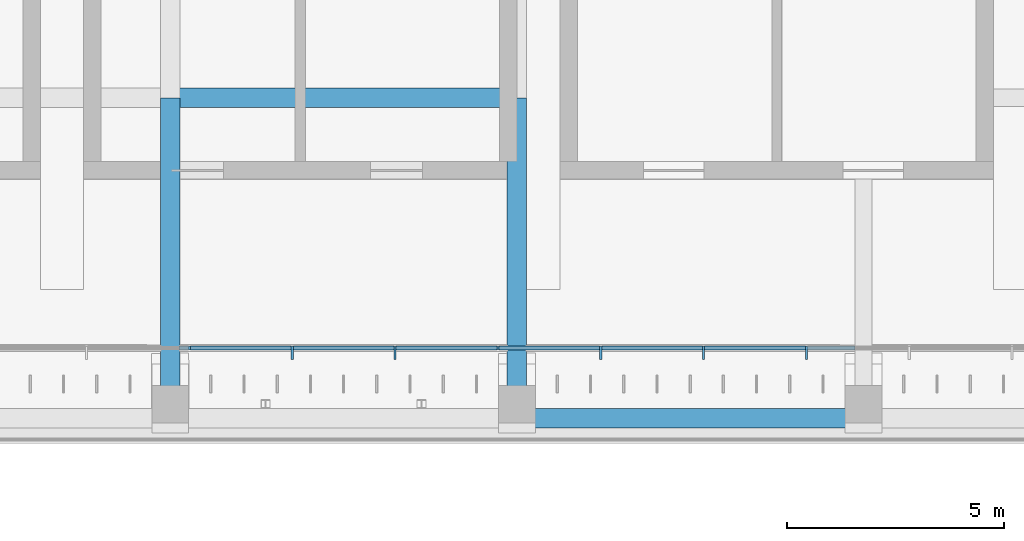
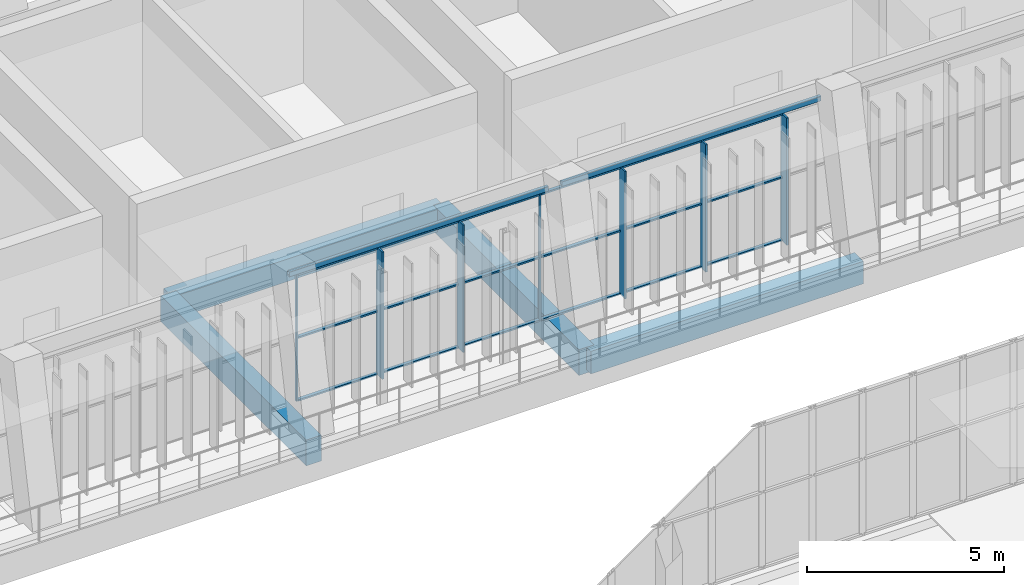
# One storey, part 36 of 92: 25 members, 6 beams, 1 element without a shape of its own.
"""IFC4 building model written with IfcOpenShell, lengths in metres."""

from ifc_helpers import new_model, si_unit, direction, frame, origin, origin_2d, place, context, subcontext, project, spatial, rectangle, hollow_rectangle, extrude, material, material_profile, profile_set, type_object, element, aggregate, save


model = new_model("IFC4")

# Units and contexts
model_context = context("Model", 3, precision=1e-05, world=origin(), true_north=direction((0.0, 1.0)))
body_context = subcontext(model_context, "Body", "Model", "MODEL_VIEW")
ifc_project = project(units=[si_unit("LENGTHUNIT", "METRE"), si_unit("AREAUNIT", "SQUARE_METRE"), si_unit("VOLUMEUNIT", "CUBIC_METRE"), si_unit("PLANEANGLEUNIT", "RADIAN"), si_unit("MASSUNIT", "GRAM", prefix="KILO")], contexts=[model_context])

# Site, building, storey
site_placement = place(None, origin())
site = spatial("IfcSite", under=ifc_project, at=site_placement, CompositionType="ELEMENT")
building_placement = place(site_placement, origin())
building = spatial("IfcBuilding", under=site, at=building_placement, Name="Lantern Court Media Centre", CompositionType="ELEMENT")
storey_placement = place(building_placement, frame((0.0, 0.0, 4.800048828125)))
storey = spatial("IfcBuildingStorey", under=building, at=storey_placement, Name="L01", CompositionType="ELEMENT", Elevation=4.800048828125)

# Curtain wall, members
ifc_material_1 = material(Name="Curtain wall bay 2400")
curtain_wall_type = type_object("IfcCurtainWallType", Name="Curtain wall bay 2400", PredefinedType="NOTDEFINED", material=ifc_material_1)
curtain_wall_placement = place(storey_placement, origin())
curtain_wall = element("IfcCurtainWall", 1, at=curtain_wall_placement, inside=storey, type_object=curtain_wall_type, Name="Curtain wall N inner L01", PredefinedType="NOTDEFINED")
ifc_material_2 = material(Name="Anodised aluminium", Category="aluminium")
ifc_material_profile_1 = material_profile(ifc_material_2, rectangle(XDim=0.300048828125, YDim=0.050048828125, at=origin_2d()), Name="AL 50x300")
ifc_profile_set_1 = profile_set([ifc_material_profile_1], Name="Anodised aluminium")
member_type_1 = type_object("IfcMemberType", Name="Curtain wall mullion 50x300", PredefinedType="MULLION", material=ifc_profile_set_1)
member_1_placement = place(storey_placement, frame((50.81298828125, 99.030029296875, 0.0), z_axis=(0.0, 0.0, 1.0), x_axis=(0.0, 1.0, 0.0)))
member_1 = element("IfcMember", 2, at=member_1_placement, type_object=member_type_1, Name="CW2 mullion 12", PredefinedType="MULLION", context=body_context, shape_type="SweptSolid", body=[
    extrude(rectangle(XDim=0.300048828125, YDim=0.050048828125, at=origin_2d()), origin(), (0.0, 0.0, 1.0), 3.949951171875),
])
member_2_placement = place(storey_placement, frame((53.18701171875, 99.030029296875, 0.0), z_axis=(0.0, 0.0, 1.0), x_axis=(0.0, 1.0, 0.0)))
member_2 = element("IfcMember", 3, at=member_2_placement, type_object=member_type_1, Name="CW2 mullion 13", PredefinedType="MULLION", context=body_context, shape_type="SweptSolid", body=[
    extrude(rectangle(XDim=0.300048828125, YDim=0.050048828125, at=origin_2d()), origin(), (0.0, 0.0, 1.0), 3.949951171875),
])
member_3_placement = place(storey_placement, frame((57.934814453125, 99.030029296875, 0.0), z_axis=(0.0, 0.0, 1.0), x_axis=(0.0, 1.0, 0.0)))
member_3 = element("IfcMember", 4, at=member_3_placement, type_object=member_type_1, Name="CW2 mullion 15", PredefinedType="MULLION", context=body_context, shape_type="SweptSolid", body=[
    extrude(rectangle(XDim=0.300048828125, YDim=0.050048828125, at=origin_2d()), origin(), (0.0, 0.0, 1.0), 3.949951171875),
])
member_4_placement = place(storey_placement, frame((60.30859375, 99.030029296875, 0.0), z_axis=(0.0, 0.0, 1.0), x_axis=(0.0, 1.0, 0.0)))
member_4 = element("IfcMember", 5, at=member_4_placement, type_object=member_type_1, Name="CW2 mullion 16", PredefinedType="MULLION", context=body_context, shape_type="SweptSolid", body=[
    extrude(rectangle(XDim=0.300048828125, YDim=0.050048828125, at=origin_2d()), origin(), (0.0, 0.0, 1.0), 3.949951171875),
])
member_5_placement = place(storey_placement, frame((62.6826171875, 99.030029296875, 0.0), z_axis=(0.0, 0.0, 1.0), x_axis=(0.0, 1.0, 0.0)))
member_5 = element("IfcMember", 6, at=member_5_placement, type_object=member_type_1, Name="CW2 mullion 17", PredefinedType="MULLION", context=body_context, shape_type="SweptSolid", body=[
    extrude(rectangle(XDim=0.300048828125, YDim=0.050048828125, at=origin_2d()), origin(), (0.0, 0.0, 1.0), 3.949951171875),
])
ifc_material_profile_2 = material_profile(ifc_material_2, rectangle(XDim=0.06005859375, YDim=0.050048828125, at=origin_2d()), Name="AL 50x60")
ifc_profile_set_2 = profile_set([ifc_material_profile_2], Name="Anodised aluminium")
member_type_2 = type_object("IfcMemberType", Name="Curtain wall mullion 50x60", PredefinedType="MULLION", material=ifc_profile_set_2)
member_6_placement = place(storey_placement, frame((48.439208984375, 99.14990234375, 0.0), z_axis=(0.0, 0.0, 1.0), x_axis=(0.0, 1.0, 0.0)))
member_6 = element("IfcMember", 7, at=member_6_placement, type_object=member_type_2, Name="CW2 mullion 11", PredefinedType="MULLION", context=body_context, shape_type="SweptSolid", body=[
    extrude(rectangle(XDim=0.06005859375, YDim=0.050048828125, at=origin_2d()), origin(), (0.0, 0.0, 1.0), 3.949951171875),
])
member_7_placement = place(storey_placement, frame((55.560791015625, 99.14990234375, 0.0), z_axis=(0.0, 0.0, 1.0), x_axis=(0.0, 1.0, 0.0)))
member_7 = element("IfcMember", 8, at=member_7_placement, type_object=member_type_2, Name="CW2 mullion 14", PredefinedType="MULLION", context=body_context, shape_type="SweptSolid", body=[
    extrude(rectangle(XDim=0.06005859375, YDim=0.050048828125, at=origin_2d()), origin(), (0.0, 0.0, 1.0), 3.949951171875),
])
ifc_material_profile_3 = material_profile(ifc_material_2, rectangle(XDim=0.10009765625, YDim=0.050048828125, at=origin_2d()), Name="AL 50x100")
ifc_profile_set_3 = profile_set([ifc_material_profile_3], Name="Anodised aluminium")
member_type_3 = type_object("IfcMemberType", Name="Curtain wall transom 100x50", PredefinedType="USERDEFINED", material=ifc_profile_set_3)
member_8_placement = place(storey_placement, frame((48.464111328125, 99.14990234375, 0.02490234375), z_axis=(1.0, 0.0, 0.0), x_axis=(0.0, 1.0, 0.0)))
member_8 = element("IfcMember", 9, at=member_8_placement, type_object=member_type_3, Name="CW2 transom 11.1", ObjectType="TRANSOM", PredefinedType="USERDEFINED", context=body_context, shape_type="SweptSolid", body=[
    extrude(rectangle(XDim=0.10009765625, YDim=0.050048828125, at=origin_2d()), origin(), (0.0, 0.0, 1.0), 2.323974609375),
])
member_9_placement = place(storey_placement, frame((48.464111328125, 99.14990234375, 1.974853515625), z_axis=(1.0, 0.0, 0.0), x_axis=(0.0, 1.0, 0.0)))
member_9 = element("IfcMember", 10, at=member_9_placement, type_object=member_type_3, Name="CW2 transom 11.2", ObjectType="TRANSOM", PredefinedType="USERDEFINED", context=body_context, shape_type="SweptSolid", body=[
    extrude(rectangle(XDim=0.10009765625, YDim=0.050048828125, at=origin_2d()), origin(), (0.0, 0.0, 1.0), 2.323974609375),
])
member_10_placement = place(storey_placement, frame((48.464111328125, 99.14990234375, 3.925048828125), z_axis=(1.0, 0.0, 0.0), x_axis=(0.0, 1.0, 0.0)))
member_10 = element("IfcMember", 11, at=member_10_placement, type_object=member_type_3, Name="CW2 transom 11.3", ObjectType="TRANSOM", PredefinedType="USERDEFINED", context=body_context, shape_type="SweptSolid", body=[
    extrude(rectangle(XDim=0.10009765625, YDim=0.050048828125, at=origin_2d()), origin(), (0.0, 0.0, 1.0), 2.323974609375),
])
member_11_placement = place(storey_placement, frame((50.838134765625, 99.14990234375, 0.02490234375), z_axis=(1.0, 0.0, 0.0), x_axis=(0.0, 1.0, 0.0)))
member_11 = element("IfcMember", 12, at=member_11_placement, type_object=member_type_3, Name="CW2 transom 12.1", ObjectType="TRANSOM", PredefinedType="USERDEFINED", context=body_context, shape_type="SweptSolid", body=[
    extrude(rectangle(XDim=0.10009765625, YDim=0.050048828125, at=origin_2d()), origin(), (0.0, 0.0, 1.0), 2.32373046875),
])
member_12_placement = place(storey_placement, frame((50.838134765625, 99.14990234375, 1.974853515625), z_axis=(1.0, 0.0, 0.0), x_axis=(0.0, 1.0, 0.0)))
member_12 = element("IfcMember", 13, at=member_12_placement, type_object=member_type_3, Name="CW2 transom 12.2", ObjectType="TRANSOM", PredefinedType="USERDEFINED", context=body_context, shape_type="SweptSolid", body=[
    extrude(rectangle(XDim=0.10009765625, YDim=0.050048828125, at=origin_2d()), origin(), (0.0, 0.0, 1.0), 2.32373046875),
])
member_13_placement = place(storey_placement, frame((50.838134765625, 99.14990234375, 3.925048828125), z_axis=(1.0, 0.0, 0.0), x_axis=(0.0, 1.0, 0.0)))
member_13 = element("IfcMember", 14, at=member_13_placement, type_object=member_type_3, Name="CW2 transom 12.3", ObjectType="TRANSOM", PredefinedType="USERDEFINED", context=body_context, shape_type="SweptSolid", body=[
    extrude(rectangle(XDim=0.10009765625, YDim=0.050048828125, at=origin_2d()), origin(), (0.0, 0.0, 1.0), 2.32373046875),
])
member_14_placement = place(storey_placement, frame((53.2119140625, 99.14990234375, 0.02490234375), z_axis=(1.0, 0.0, 0.0), x_axis=(0.0, 1.0, 0.0)))
member_14 = element("IfcMember", 15, at=member_14_placement, type_object=member_type_3, Name="CW2 transom 13.1", ObjectType="TRANSOM", PredefinedType="USERDEFINED", context=body_context, shape_type="SweptSolid", body=[
    extrude(rectangle(XDim=0.10009765625, YDim=0.050048828125, at=origin_2d()), origin(), (0.0, 0.0, 1.0), 2.323974609375),
])
member_15_placement = place(storey_placement, frame((53.2119140625, 99.14990234375, 1.974853515625), z_axis=(1.0, 0.0, 0.0), x_axis=(0.0, 1.0, 0.0)))
member_15 = element("IfcMember", 16, at=member_15_placement, type_object=member_type_3, Name="CW2 transom 13.2", ObjectType="TRANSOM", PredefinedType="USERDEFINED", context=body_context, shape_type="SweptSolid", body=[
    extrude(rectangle(XDim=0.10009765625, YDim=0.050048828125, at=origin_2d()), origin(), (0.0, 0.0, 1.0), 2.323974609375),
])
member_16_placement = place(storey_placement, frame((53.2119140625, 99.14990234375, 3.925048828125), z_axis=(1.0, 0.0, 0.0), x_axis=(0.0, 1.0, 0.0)))
member_16 = element("IfcMember", 17, at=member_16_placement, type_object=member_type_3, Name="CW2 transom 13.3", ObjectType="TRANSOM", PredefinedType="USERDEFINED", context=body_context, shape_type="SweptSolid", body=[
    extrude(rectangle(XDim=0.10009765625, YDim=0.050048828125, at=origin_2d()), origin(), (0.0, 0.0, 1.0), 2.323974609375),
])
member_17_placement = place(storey_placement, frame((55.5859375, 99.14990234375, 0.02490234375), z_axis=(1.0, 0.0, 0.0), x_axis=(0.0, 1.0, 0.0)))
member_17 = element("IfcMember", 18, at=member_17_placement, type_object=member_type_3, Name="CW2 transom 14.1", ObjectType="TRANSOM", PredefinedType="USERDEFINED", context=body_context, shape_type="SweptSolid", body=[
    extrude(rectangle(XDim=0.10009765625, YDim=0.050048828125, at=origin_2d()), origin(), (0.0, 0.0, 1.0), 2.32373046875),
])
member_18_placement = place(storey_placement, frame((55.5859375, 99.14990234375, 1.974853515625), z_axis=(1.0, 0.0, 0.0), x_axis=(0.0, 1.0, 0.0)))
member_18 = element("IfcMember", 19, at=member_18_placement, type_object=member_type_3, Name="CW2 transom 14.2", ObjectType="TRANSOM", PredefinedType="USERDEFINED", context=body_context, shape_type="SweptSolid", body=[
    extrude(rectangle(XDim=0.10009765625, YDim=0.050048828125, at=origin_2d()), origin(), (0.0, 0.0, 1.0), 2.32373046875),
])
member_19_placement = place(storey_placement, frame((55.5859375, 99.14990234375, 3.925048828125), z_axis=(1.0, 0.0, 0.0), x_axis=(0.0, 1.0, 0.0)))
member_19 = element("IfcMember", 20, at=member_19_placement, type_object=member_type_3, Name="CW2 transom 14.3", ObjectType="TRANSOM", PredefinedType="USERDEFINED", context=body_context, shape_type="SweptSolid", body=[
    extrude(rectangle(XDim=0.10009765625, YDim=0.050048828125, at=origin_2d()), origin(), (0.0, 0.0, 1.0), 2.32373046875),
])
member_20_placement = place(storey_placement, frame((57.959716796875, 99.14990234375, 0.02490234375), z_axis=(1.0, 0.0, 0.0), x_axis=(0.0, 1.0, 0.0)))
member_20 = element("IfcMember", 21, at=member_20_placement, type_object=member_type_3, Name="CW2 transom 15.1", ObjectType="TRANSOM", PredefinedType="USERDEFINED", context=body_context, shape_type="SweptSolid", body=[
    extrude(rectangle(XDim=0.10009765625, YDim=0.050048828125, at=origin_2d()), origin(), (0.0, 0.0, 1.0), 2.323974609375),
])
member_21_placement = place(storey_placement, frame((57.959716796875, 99.14990234375, 1.974853515625), z_axis=(1.0, 0.0, 0.0), x_axis=(0.0, 1.0, 0.0)))
member_21 = element("IfcMember", 22, at=member_21_placement, type_object=member_type_3, Name="CW2 transom 15.2", ObjectType="TRANSOM", PredefinedType="USERDEFINED", context=body_context, shape_type="SweptSolid", body=[
    extrude(rectangle(XDim=0.10009765625, YDim=0.050048828125, at=origin_2d()), origin(), (0.0, 0.0, 1.0), 2.323974609375),
])
member_22_placement = place(storey_placement, frame((57.959716796875, 99.14990234375, 3.925048828125), z_axis=(1.0, 0.0, 0.0), x_axis=(0.0, 1.0, 0.0)))
member_22 = element("IfcMember", 23, at=member_22_placement, type_object=member_type_3, Name="CW2 transom 15.3", ObjectType="TRANSOM", PredefinedType="USERDEFINED", context=body_context, shape_type="SweptSolid", body=[
    extrude(rectangle(XDim=0.10009765625, YDim=0.050048828125, at=origin_2d()), origin(), (0.0, 0.0, 1.0), 2.323974609375),
])
member_23_placement = place(storey_placement, frame((60.333740234375, 99.14990234375, 0.02490234375), z_axis=(1.0, 0.0, 0.0), x_axis=(0.0, 1.0, 0.0)))
member_23 = element("IfcMember", 24, at=member_23_placement, type_object=member_type_3, Name="CW2 transom 16.1", ObjectType="TRANSOM", PredefinedType="USERDEFINED", context=body_context, shape_type="SweptSolid", body=[
    extrude(rectangle(XDim=0.10009765625, YDim=0.050048828125, at=origin_2d()), origin(), (0.0, 0.0, 1.0), 2.323974609375),
])
member_24_placement = place(storey_placement, frame((60.333740234375, 99.14990234375, 1.974853515625), z_axis=(1.0, 0.0, 0.0), x_axis=(0.0, 1.0, 0.0)))
member_24 = element("IfcMember", 25, at=member_24_placement, type_object=member_type_3, Name="CW2 transom 16.2", ObjectType="TRANSOM", PredefinedType="USERDEFINED", context=body_context, shape_type="SweptSolid", body=[
    extrude(rectangle(XDim=0.10009765625, YDim=0.050048828125, at=origin_2d()), origin(), (0.0, 0.0, 1.0), 2.323974609375),
])
member_25_placement = place(storey_placement, frame((60.333740234375, 99.14990234375, 3.925048828125), z_axis=(1.0, 0.0, 0.0), x_axis=(0.0, 1.0, 0.0)))
member_25 = element("IfcMember", 26, at=member_25_placement, type_object=member_type_3, Name="CW2 transom 16.3", ObjectType="TRANSOM", PredefinedType="USERDEFINED", context=body_context, shape_type="SweptSolid", body=[
    extrude(rectangle(XDim=0.10009765625, YDim=0.050048828125, at=origin_2d()), origin(), (0.0, 0.0, 1.0), 2.323974609375),
])
aggregate(curtain_wall, [member_6, member_1, member_2, member_7, member_3, member_4, member_5, member_8, member_9, member_10, member_11, member_12, member_13, member_14, member_15, member_16, member_17, member_18, member_19, member_20, member_21, member_22, member_23, member_24, member_25])

# Beams
ifc_material_3 = material(Name="Steel S355J2 (EN 10025-2)", Category="steel")
ifc_material_profile_4 = material_profile(ifc_material_3, hollow_rectangle(XDim=0.10009765625, YDim=0.14990234375, WallThickness=0.00634765625, InnerFilletRadius=0.00634765625, OuterFilletRadius=0.009521484375, at=origin_2d()), Name="Facade head lintel RHS 150x100x6.3")
ifc_profile_set_4 = profile_set([ifc_material_profile_4], Name="Steel S355J2 (EN 10025-2)")
beam_type_1 = type_object("IfcBeamType", Name="Facade head lintel RHS 150x100x6.3", PredefinedType="BEAM", material=ifc_profile_set_4)
for number, where, z_axis, x_axis, name in (
    (27, (48.199951171875, 99.14990234375, 4.02490234375), (1.0, 0.0, 0.0), (0.0, 1.0, 0.0), "Facade head lintel N L01"),
    (28, (56.199951171875, 99.14990234375, 4.02490234375), (1.0, 0.0, 0.0), (0.0, 1.0, 0.0), "Facade head lintel N L01"),
):
    element("IfcBeam", number, at=place(storey_placement, frame(where, z_axis=z_axis, x_axis=x_axis)), inside=storey, type_object=beam_type_1, Name=name, PredefinedType="BEAM", context=body_context, shape_type="SweptSolid", body=[
        extrude(hollow_rectangle(XDim=0.10009765625, YDim=0.14990234375, WallThickness=0.00634765625, InnerFilletRadius=0.00634765625, OuterFilletRadius=0.009521484375, at=origin_2d()), origin(), (0.0, 0.0, 1.0), 7.60009765625),
    ])
ifc_material_4 = material(Name="Concrete C35", Category="concrete")
ifc_material_profile_5 = material_profile(ifc_material_4, rectangle(XDim=0.449951171875, YDim=0.699951171875, at=origin_2d()), Name="RC 450x700")
ifc_profile_set_5 = profile_set([ifc_material_profile_5], Name="Concrete C35")
beam_type_2 = type_object("IfcBeamType", Name="RC BEAM 450x700", PredefinedType="BEAM", material=ifc_profile_set_5)
for number, where, z_axis, x_axis, name in (
    (29, (56.0, 97.527099609375, -0.35009765625), (1.0, 0.0, 0.0), (0.0, 1.0, 0.0), "LB-N-L01-0-4"),
    (30, (48.0, 104.927001953125, -0.35009765625), (1.0, 0.0, 0.0), (0.0, 1.0, 0.0), "LB-N-L01-1-3"),
):
    element("IfcBeam", number, at=place(storey_placement, frame(where, z_axis=z_axis, x_axis=x_axis)), inside=storey, type_object=beam_type_2, Name=name, PredefinedType="BEAM", context=body_context, shape_type="SweptSolid", body=[
        extrude(rectangle(XDim=0.449951171875, YDim=0.699951171875, at=origin_2d()), origin(), (0.0, 0.0, 1.0), 8.0),
    ])
ifc_material_profile_6 = material_profile(ifc_material_4, rectangle(XDim=0.449951171875, YDim=0.800048828125, at=origin_2d()), Name="RC 450x800")
ifc_profile_set_6 = profile_set([ifc_material_profile_6], Name="Concrete C35")
beam_type_3 = type_object("IfcBeamType", Name="RC BEAM 450x800", PredefinedType="BEAM", material=ifc_profile_set_6)
for number, where, z_axis, x_axis, name in (
    (31, (48.0, 97.5166015625, -0.400146484375), (0.0, 1.0, 0.0), (-1.0, 0.0, 0.0), "TB-N-L01-3-1"),
    (32, (56.0, 97.5166015625, -0.400146484375), (0.0, 1.0, 0.0), (-1.0, 0.0, 0.0), "TB-N-L01-4-1"),
):
    element("IfcBeam", number, at=place(storey_placement, frame(where, z_axis=z_axis, x_axis=x_axis)), inside=storey, type_object=beam_type_3, Name=name, PredefinedType="BEAM", context=body_context, shape_type="SweptSolid", body=[
        extrude(rectangle(XDim=0.449951171875, YDim=0.800048828125, at=origin_2d()), origin(), (0.0, 0.0, 1.0), 7.400146484375),
    ])

save(model, "model.ifc")
